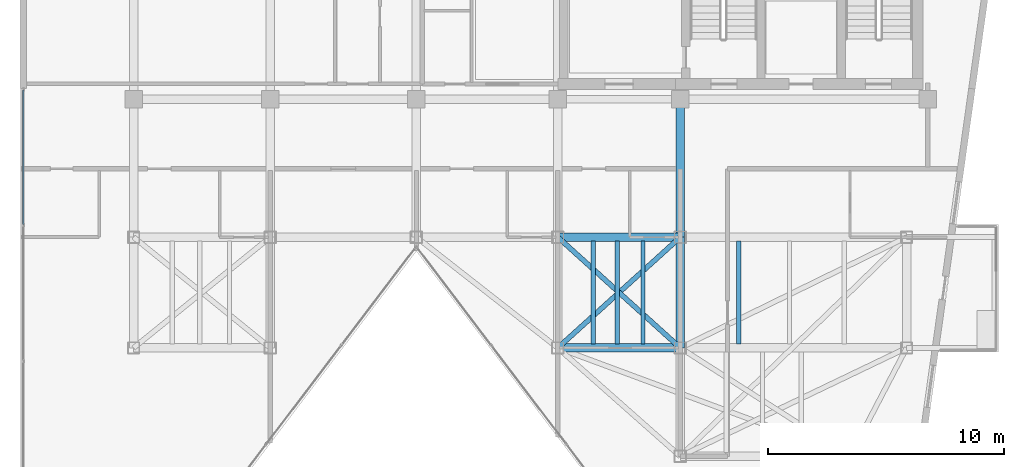
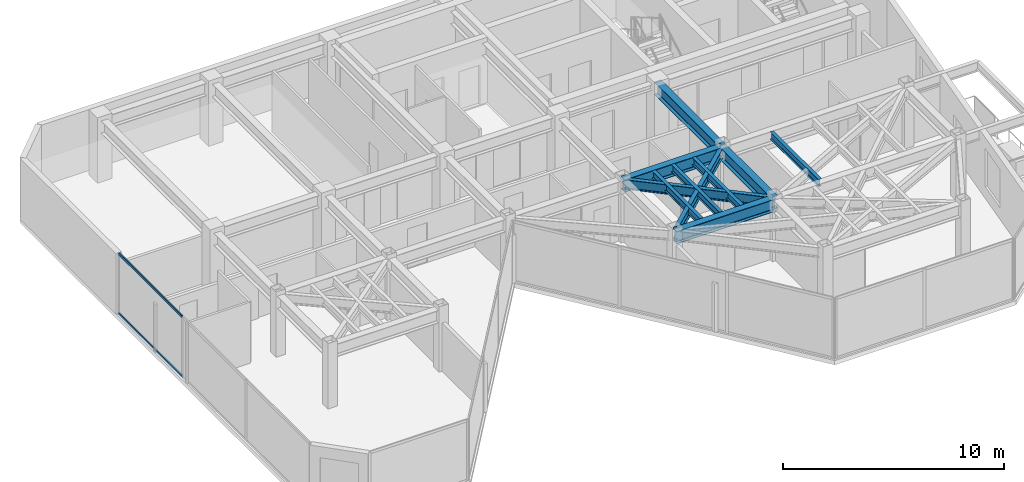
# One storey, part 10 of 19: 10 beams, 2 members, 1 element without a shape of its own.
"""IFC4 building model written with IfcOpenShell, lengths in metres."""

from ifc_helpers import new_model, si_unit, direction, frame, origin, origin_2d, place, context, subcontext, project, spatial, hollow_rectangle, i_section, extrude, material, layer, layer_set, material_profile, profile_set, type_object, element, aggregate, save


model = new_model("IFC4")

# Units and contexts
model_context = context("Model", 3, precision=1e-05, world=origin(), true_north=direction((0.0, 1.0)))
body_context = subcontext(model_context, "Body", "Model", "MODEL_VIEW")
ifc_project = project(units=[si_unit("LENGTHUNIT", "METRE"), si_unit("AREAUNIT", "SQUARE_METRE"), si_unit("VOLUMEUNIT", "CUBIC_METRE"), si_unit("PLANEANGLEUNIT", "RADIAN"), si_unit("MASSUNIT", "GRAM", prefix="KILO")], contexts=[model_context])

# Site, building, storey
site_placement = place(None, origin())
site = spatial("IfcSite", under=ifc_project, at=site_placement, CompositionType="ELEMENT")
building_placement = place(site_placement, origin())
building = spatial("IfcBuilding", under=site, at=building_placement, Name="Kravanh Interchange Tower", CompositionType="ELEMENT")
storey_placement = place(building_placement, frame((0.0, 0.0, 270.60009765625)))
storey = spatial("IfcBuildingStorey", under=building, at=storey_placement, Name="L66", CompositionType="ELEMENT", Elevation=270.60009765625)

# Curtain wall, members
ifc_material_1 = material(Name="Anodised Bronze Aluminium", Category="aluminium")
ifc_layer = layer(ifc_material_1, 0.179931640625)
ifc_layer_set = layer_set([ifc_layer], Name="Unitised Curtain Wall System CW-HTL Luxury Hotel")
curtain_wall_type = type_object("IfcCurtainWallType", Name="Unitised Curtain Wall System CW-HTL Luxury Hotel", PredefinedType="NOTDEFINED", material=ifc_layer_set)
curtain_wall_placement = place(storey_placement, origin())
curtain_wall = element("IfcCurtainWall", 1, at=curtain_wall_placement, inside=storey, type_object=curtain_wall_type, Name="L66 Unitised Curtain Wall CW-L66-01", PredefinedType="NOTDEFINED")
ifc_material_2 = material(Name="Anodised Bronze Aluminium", Category="aluminium")
ifc_material_profile_1 = material_profile(ifc_material_2, hollow_rectangle(XDim=0.06005859375, YDim=0.139892578125, WallThickness=0.00390625, at=origin_2d()), Name="ALU60X140X4")
ifc_profile_set_1 = profile_set([ifc_material_profile_1], Name="Anodised Bronze Aluminium")
member_type = type_object("IfcMemberType", Name="Curtain Wall Transom ALU60X140X4 Bronze", PredefinedType="USERDEFINED", material=ifc_profile_set_1)
member_1_placement = place(storey_placement, frame((28.1201171875, 32.046630859375, 0.02978515625), z_axis=(0.0, 1.0, 0.0), x_axis=(-1.0, 0.0, 0.0)))
member_1 = element("IfcMember", 2, at=member_1_placement, type_object=member_type, Name="CW-HTL transom 3.1", ObjectType="TRANSOM", PredefinedType="USERDEFINED", context=body_context, shape_type="SweptSolid", body=[
    extrude(hollow_rectangle(XDim=0.06005859375, YDim=0.139892578125, WallThickness=0.00390625, at=origin_2d()), origin(), (0.0, 0.0, 1.0), 5.693359375),
])
member_2_placement = place(storey_placement, frame((28.1201171875, 32.046630859375, 3.329833984375), z_axis=(0.0, 1.0, 0.0), x_axis=(-1.0, 0.0, 0.0)))
member_2 = element("IfcMember", 3, at=member_2_placement, type_object=member_type, Name="CW-HTL transom 3.2", ObjectType="TRANSOM", PredefinedType="USERDEFINED", context=body_context, shape_type="SweptSolid", body=[
    extrude(hollow_rectangle(XDim=0.06005859375, YDim=0.139892578125, WallThickness=0.00390625, at=origin_2d()), origin(), (0.0, 0.0, 1.0), 5.693359375),
])
aggregate(curtain_wall, [member_1, member_2])

# Beams
ifc_material_3 = material(Name="Structural Steel S355", Category="steel")
ifc_material_profile_2 = material_profile(ifc_material_3, i_section(OverallWidth=0.35498046875, OverallDepth=0.696044921875, WebThickness=0.015380859375, FlangeThickness=0.02490234375, FilletRadius=0.02392578125, at=origin_2d()), Name="W27X146")
ifc_profile_set_2 = profile_set([ifc_material_profile_2], Name="Structural Steel S355")
beam_type_1 = type_object("IfcBeamType", Name="Floor Beam W27X146 Structural Steel S355", PredefinedType="BEAM", material=ifc_profile_set_2)
beam_1_placement = place(storey_placement, frame((50.800048828125, 31.5, 3.011962890625), z_axis=(1.0, 0.0, 0.0), x_axis=(0.0, 1.0, 0.0)))
element("IfcBeam", 4, at=beam_1_placement, inside=storey, type_object=beam_type_1, Name="L66 Primary Floor Girder 6", PredefinedType="BEAM", context=body_context, shape_type="SweptSolid", body=[
    extrude(i_section(OverallWidth=0.35498046875, OverallDepth=0.696044921875, WebThickness=0.015380859375, FlangeThickness=0.02490234375, FilletRadius=0.02392578125, at=origin_2d()), origin(), (0.0, 0.0, 1.0), 5.199951171875),
])
beam_2_placement = place(storey_placement, frame((56.0, 31.5, 3.011962890625), z_axis=(0.0, -1.0, 0.0), x_axis=(1.0, 0.0, 0.0)))
element("IfcBeam", 5, at=beam_2_placement, inside=storey, type_object=beam_type_1, Name="L66 Primary Floor Girder 9", PredefinedType="BEAM", context=body_context, shape_type="SweptSolid", body=[
    extrude(i_section(OverallWidth=0.35498046875, OverallDepth=0.696044921875, WebThickness=0.015380859375, FlangeThickness=0.02490234375, FilletRadius=0.02392578125, at=origin_2d()), origin(), (0.0, 0.0, 1.0), 4.699951171875),
])
beam_3_placement = place(storey_placement, frame((56.0, 31.5, 3.011962890625), z_axis=(0.0, 1.0, 0.0), x_axis=(-1.0, 0.0, 0.0)))
element("IfcBeam", 6, at=beam_3_placement, inside=storey, type_object=beam_type_1, Name="L66 Primary Floor Girder 10", PredefinedType="BEAM", context=body_context, shape_type="SweptSolid", body=[
    extrude(i_section(OverallWidth=0.35498046875, OverallDepth=0.696044921875, WebThickness=0.015380859375, FlangeThickness=0.02490234375, FilletRadius=0.02392578125, at=origin_2d()), origin(), (0.0, 0.0, 1.0), 5.85009765625),
])
beam_4_placement = place(storey_placement, frame((50.800048828125, 26.800048828125, 3.011962890625), z_axis=(1.0, 0.0, 0.0), x_axis=(0.0, 1.0, 0.0)))
element("IfcBeam", 7, at=beam_4_placement, inside=storey, type_object=beam_type_1, Name="L66 Primary Floor Girder 25", PredefinedType="BEAM", context=body_context, shape_type="SweptSolid", body=[
    extrude(i_section(OverallWidth=0.35498046875, OverallDepth=0.696044921875, WebThickness=0.015380859375, FlangeThickness=0.02490234375, FilletRadius=0.02392578125, at=origin_2d()), origin(), (0.0, 0.0, 1.0), 5.199951171875),
])
ifc_material_4 = material(Name="Structural Steel S355", Category="steel")
ifc_material_profile_3 = material_profile(ifc_material_4, i_section(OverallWidth=0.177978515625, OverallDepth=0.406005859375, WebThickness=0.0078125, FlangeThickness=0.0126953125, FilletRadius=0.01611328125, at=origin_2d()), Name="W16X40")
ifc_profile_set_3 = profile_set([ifc_material_profile_3], Name="Structural Steel S355")
beam_type_2 = type_object("IfcBeamType", Name="Floor Joist W16X40 Structural Steel S355", PredefinedType="JOIST", material=ifc_profile_set_3)
for number, where, z_axis, x_axis, name in (
    (8, (52.30810546875, 26.972412109375, 3.156982421875), (0.0, 1.0, 0.0), (-1.0, 0.0, 0.0), "L66 Secondary Floor Joist 7"),
    (9, (53.322021484375, 26.972412109375, 3.156982421875), (0.0, 1.0, 0.0), (-1.0, 0.0, 0.0), "L66 Secondary Floor Joist 8"),
    (10, (54.4140625, 26.972412109375, 3.156982421875), (0.0, 1.0, 0.0), (-1.0, 0.0, 0.0), "L66 Secondary Floor Joist 9"),
    (11, (58.47607421875, 26.972412109375, 3.156982421875), (0.0, 1.0, 0.0), (-1.0, 0.0, 0.0), "L66 Secondary Floor Joist 10"),
):
    element("IfcBeam", number, at=place(storey_placement, frame(where, z_axis=z_axis, x_axis=x_axis)), inside=storey, type_object=beam_type_2, Name=name, PredefinedType="JOIST", context=body_context, shape_type="SweptSolid", body=[
        extrude(i_section(OverallWidth=0.177978515625, OverallDepth=0.406005859375, WebThickness=0.0078125, FlangeThickness=0.0126953125, FilletRadius=0.01611328125, at=origin_2d()), origin(), (0.0, 0.0, 1.0), 4.35498046875),
    ])
ifc_material_5 = material(Name="Structural Steel S355", Category="steel")
ifc_material_profile_4 = material_profile(ifc_material_5, i_section(OverallWidth=0.2099609375, OverallDepth=0.537109375, WebThickness=0.010986328125, FlangeThickness=0.017333984375, FilletRadius=0.02001953125, at=origin_2d()), Name="W21X68")
ifc_profile_set_4 = profile_set([ifc_material_profile_4], Name="Structural Steel S355")
beam_type_3 = type_object("IfcBeamType", Name="Floor Spandrel W21X68 Structural Steel S355", PredefinedType="SPANDREL", material=ifc_profile_set_4)
for number, where, z_axis, x_axis, name in (
    (12, (50.800048828125, 31.5, 3.09130859375), (0.741874009795, -0.670539300557, 0.0), (0.670539300557, 0.741874009795, 0.0), "L66 Perimeter Spandrel 8"),
    (13, (56.0, 31.5, 3.09130859375), (-0.741874009795, -0.670539300557, 0.0), (0.670539300557, -0.741874009795, 0.0), "L66 Perimeter Spandrel 11"),
):
    element("IfcBeam", number, at=place(storey_placement, frame(where, z_axis=z_axis, x_axis=x_axis)), inside=storey, type_object=beam_type_3, Name=name, PredefinedType="SPANDREL", context=body_context, shape_type="SweptSolid", body=[
        extrude(i_section(OverallWidth=0.2099609375, OverallDepth=0.537109375, WebThickness=0.010986328125, FlangeThickness=0.017333984375, FilletRadius=0.02001953125, at=origin_2d()), origin(), (0.0, 0.0, 1.0), 7.00927734375),
    ])

save(model, "model.ifc")
